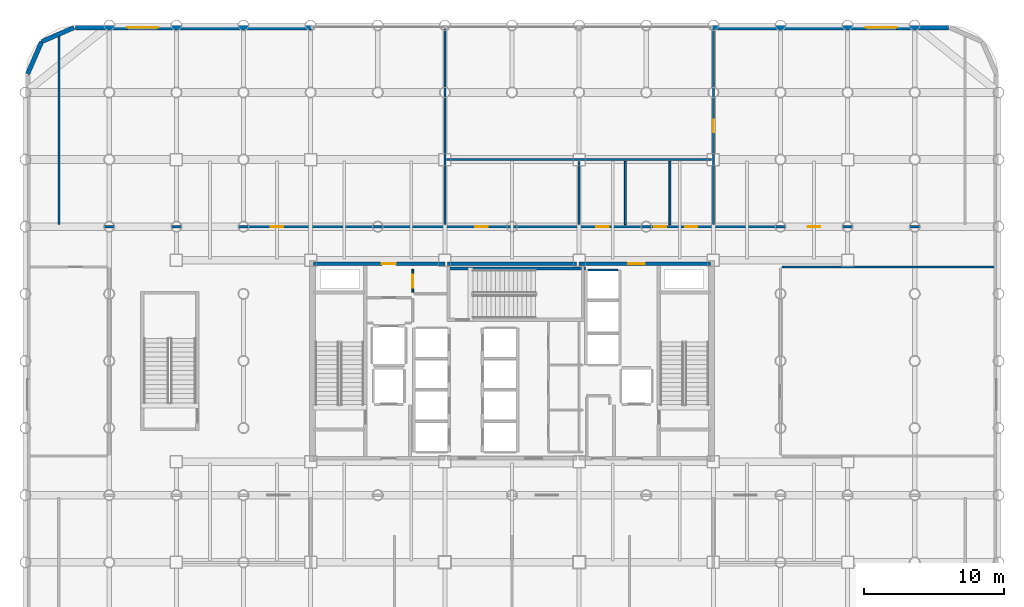
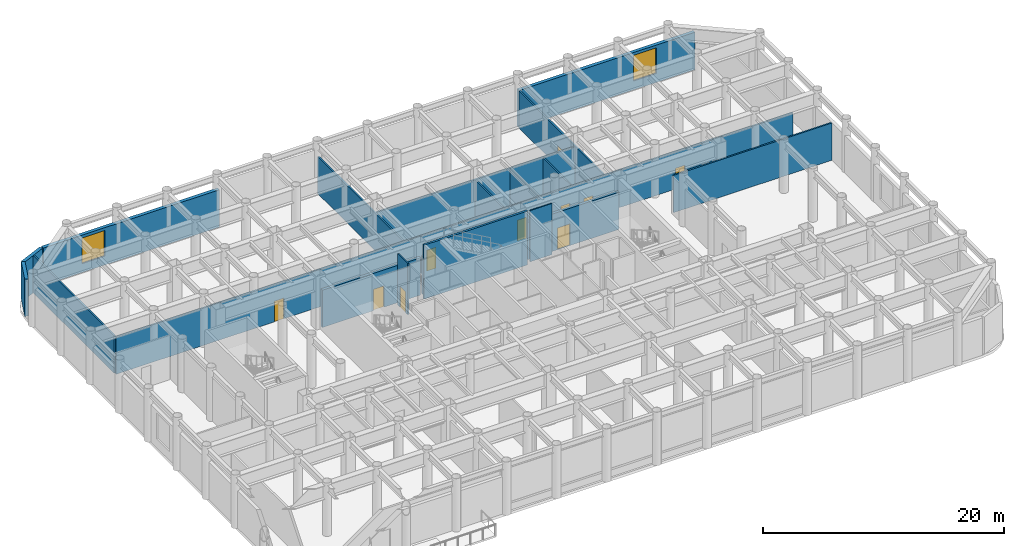
# One storey, part 14 of 17: 19 walls, 10 doors, 2 windows, 12 openings.
"""IFC4 building model written with IfcOpenShell, lengths in metres."""

from ifc_helpers import new_model, si_unit, direction, frame, frame_2d, origin, place, context, subcontext, project, spatial, rectangle, extrude, material, layer, layer_set, type_object, element, fill, save


model = new_model("IFC4")

# Units and contexts
model_context = context("Model", 3, precision=1e-05, world=origin(), true_north=direction((0.0, 1.0)))
body_context = subcontext(model_context, "Body", "Model", "MODEL_VIEW")
ifc_project = project(units=[si_unit("LENGTHUNIT", "METRE"), si_unit("AREAUNIT", "SQUARE_METRE"), si_unit("VOLUMEUNIT", "CUBIC_METRE"), si_unit("PLANEANGLEUNIT", "RADIAN"), si_unit("MASSUNIT", "GRAM", prefix="KILO")], contexts=[model_context])

# Site, building, storey
site_placement = place(None, origin())
site = spatial("IfcSite", under=ifc_project, at=site_placement, CompositionType="ELEMENT")
building_placement = place(site_placement, origin())
building = spatial("IfcBuilding", under=site, at=building_placement, Name="Kallvorn Hotel Tower", CompositionType="ELEMENT")
storey_placement = place(building_placement, frame((0.0, 0.0, 19.199951171875)))
storey = spatial("IfcBuildingStorey", under=building, at=storey_placement, Name="L03", CompositionType="ELEMENT", Elevation=19.199951171875)

# Wall, opening, window
ifc_material_1 = material(Name="Precast basalt-clad insulated concrete wall C40/50", Category="masonry")
ifc_layer_1 = layer(ifc_material_1, 0.320068359375)
ifc_layer_set_1 = layer_set([ifc_layer_1], Name="WL_EXT_BAY_320")
wall_type_1 = type_object("IfcWallType", Name="WL_EXT_BAY_320", PredefinedType="SOLIDWALL", material=ifc_layer_set_1)
wall_1_placement = place(storey_placement, frame((-31.199951171875, 23.840087890625, 0.0), z_axis=(0.0, 0.0, 1.0), x_axis=(1.0, 0.0, 0.0)))
wall_1 = element("IfcWall", 1, at=wall_1_placement, inside=storey, type_object=wall_type_1, Name="L03 Podium Exterior Wall EW-L03-NW", PredefinedType="SOLIDWALL", context=body_context, shape_type="SweptSolid", body=[
    extrude(rectangle(XDim=16.849853515625, YDim=0.320068359375, at=frame_2d((8.4248046875, 0.0))), origin(), (0.0, 0.0, 1.0), 3.780029296875),
])
opening_1_placement = place(wall_1_placement, frame((3.699951171875, 0.0, 0.89990234375)))
opening_1 = element("IfcOpeningElement", 2, at=opening_1_placement, cuts=wall_1, Name="Opening W03", PredefinedType="OPENING", context=body_context, shape_type="SweptSolid", body=[
    extrude(rectangle(XDim=2.199951171875, YDim=2.60009765625, at=frame_2d((1.10009765625, 1.300048828125))), frame((0.0, 0.175048828125, 0.0), z_axis=(0.0, -1.0, 0.0), x_axis=(1.0, 0.0, 0.0)), (0.0, 0.0, 1.0), 0.35009765625),
])
ifc_material_2 = material(Name="Double-glazed low-e solar-control dark glass", Category="glass")
window_type = type_object("IfcWindowType", Name="WN_CASC_2200x2600", PartitioningType="SINGLE_PANEL", PredefinedType="WINDOW", material=ifc_material_2)
window_1_placement = place(opening_1_placement, origin())
window_1 = element("IfcWindow", 3, at=window_1_placement, inside=storey, type_object=window_type, Name="L03 Podium Window EW-L03-NW", OverallHeight=2.60009765625, OverallWidth=2.199951171875, PartitioningType="SINGLE_PANEL", PredefinedType="WINDOW", context=body_context, shape_type="SweptSolid", body=[
    extrude(rectangle(XDim=2.199951171875, YDim=2.60009765625, at=frame_2d((1.10009765625, 1.300048828125))), frame((0.0, 0.030029296875, 0.0), z_axis=(0.0, -1.0, 0.0), x_axis=(1.0, 0.0, 0.0)), (0.0, 0.0, 1.0), 0.06005859375),
])
fill(opening_1, window_1)

wall_2_placement = place(storey_placement, frame((14.35009765625, 23.840087890625, 0.0), z_axis=(0.0, 0.0, 1.0), x_axis=(1.0, 0.0, 0.0)))
wall_2 = element("IfcWall", 4, at=wall_2_placement, inside=storey, type_object=wall_type_1, Name="L03 Podium Exterior Wall EW-L03-NE", PredefinedType="SOLIDWALL", context=body_context, shape_type="SweptSolid", body=[
    extrude(rectangle(XDim=16.849853515625, YDim=0.320068359375, at=frame_2d((8.4248046875, 0.0))), origin(), (0.0, 0.0, 1.0), 3.780029296875),
])
opening_2_placement = place(wall_2_placement, frame((10.949951171875, 0.0, 0.89990234375)))
opening_2 = element("IfcOpeningElement", 5, at=opening_2_placement, cuts=wall_2, Name="Opening W03", PredefinedType="OPENING", context=body_context, shape_type="SweptSolid", body=[
    extrude(rectangle(XDim=2.199951171875, YDim=2.60009765625, at=frame_2d((1.10009765625, 1.300048828125))), frame((0.0, 0.175048828125, 0.0), z_axis=(0.0, -1.0, 0.0), x_axis=(1.0, 0.0, 0.0)), (0.0, 0.0, 1.0), 0.35009765625),
])
window_2_placement = place(opening_2_placement, origin())
window_2 = element("IfcWindow", 6, at=window_2_placement, inside=storey, type_object=window_type, Name="L03 Podium Window EW-L03-NE", OverallHeight=2.60009765625, OverallWidth=2.199951171875, PartitioningType="SINGLE_PANEL", PredefinedType="WINDOW", context=body_context, shape_type="SweptSolid", body=[
    extrude(rectangle(XDim=2.199951171875, YDim=2.60009765625, at=frame_2d((1.10009765625, 1.300048828125))), frame((0.0, 0.030029296875, 0.0), z_axis=(0.0, -1.0, 0.0), x_axis=(1.0, 0.0, 0.0)), (0.0, 0.0, 1.0), 0.06005859375),
])
fill(opening_2, window_2)

# Walls
wall_3_placement = place(storey_placement, frame((-31.320068359375, 23.837890625, 0.0), z_axis=(0.0, 0.0, 1.0), x_axis=(-0.917063898521, -0.3987402739, 0.0)))
element("IfcWall", 7, at=wall_3_placement, inside=storey, type_object=wall_type_1, Name="L03 Rounded Corner Exterior Wall NW1", PredefinedType="SOLIDWALL", context=body_context, shape_type="SweptSolid", body=[
    extrude(rectangle(XDim=2.521484375, YDim=0.320068359375, at=frame_2d((1.2607421875, 0.0))), origin(), (0.0, 0.0, 1.0), 3.780029296875),
])
wall_4_placement = place(storey_placement, frame((-33.63232421875, 22.83251953125, 0.0), z_axis=(0.0, 0.0, 1.0), x_axis=(-0.398786293654, -0.917043887714, 0.0)))
element("IfcWall", 8, at=wall_4_placement, inside=storey, type_object=wall_type_1, Name="L03 Rounded Corner Exterior Wall NW2", PredefinedType="SOLIDWALL", context=body_context, shape_type="SweptSolid", body=[
    extrude(rectangle(XDim=2.521728515625, YDim=0.320068359375, at=frame_2d((1.2607421875, 0.0))), origin(), (0.0, 0.0, 1.0), 3.780029296875),
])
ifc_material_3 = material(Name="Concrete C40/50", Category="concrete")
ifc_layer_2 = layer(ifc_material_3, 0.199951171875)
ifc_layer_set_2 = layer_set([ifc_layer_2], Name="WL_HOIST_200")
wall_type_2 = type_object("IfcWallType", Name="WL_HOIST_200", PredefinedType="SOLIDWALL", material=ifc_layer_set_2)
wall_5_placement = place(storey_placement, frame((-4.64990234375, 6.610107421875, -0.280029296875), z_axis=(0.0, 0.0, 1.0), x_axis=(1.0, 0.0, 0.0)))
element("IfcWall", 9, at=wall_5_placement, inside=storey, type_object=wall_type_2, Name="L03 Stair ST3 Shaft North Wall", PredefinedType="SOLIDWALL", context=body_context, shape_type="SweptSolid", body=[
    extrude(rectangle(XDim=9.89990234375, YDim=0.199951171875, at=frame_2d((4.949951171875, 0.0))), origin(), (0.0, 0.0, 1.0), 5.4599609375),
])
ifc_material_4 = material(Name="Fire-rated double-layer acoustic gypsum drywall EI 60")
ifc_layer_3 = layer(ifc_material_4, 0.1201171875)
ifc_layer_set_3 = layer_set([ifc_layer_3], Name="WL_INT_120")
wall_type_3 = type_object("IfcWallType", Name="WL_INT_120", PredefinedType="PARTITIONING", material=ifc_layer_set_3)
wall_6_placement = place(storey_placement, frame((5.43994140625, 6.5, 0.0), z_axis=(0.0, 0.0, 1.0), x_axis=(1.0, 0.0, 0.0)))
element("IfcWall", 10, at=wall_6_placement, inside=storey, type_object=wall_type_3, Name="L03 OB-03 Hoistway Divider", PredefinedType="PARTITIONING", context=body_context, shape_type="SweptSolid", body=[
    extrude(rectangle(XDim=2.1201171875, YDim=0.1201171875, at=frame_2d((1.06005859375, 0.0))), origin(), (0.0, 0.0, 1.0), 5.179931640625),
])

# Wall, opening, door
wall_7_placement = place(storey_placement, frame((-7.10009765625, 4.89990234375, 0.0), z_axis=(0.0, 0.0, 1.0), x_axis=(0.0, 1.0, 0.0)))
wall_7 = element("IfcWall", 11, at=wall_7_placement, inside=storey, type_object=wall_type_3, Name="L03 Core Room Service Staging Pantry Partition", PredefinedType="PARTITIONING", context=body_context, shape_type="SweptSolid", body=[
    extrude(rectangle(XDim=1.650146484375, YDim=0.1201171875, at=frame_2d((0.8251953125, 0.0))), origin(), (0.0, 0.0, 1.0), 5.179931640625),
])
opening_3_placement = place(wall_7_placement, frame((0.35009765625, 0.0, 0.0)))
opening_3 = element("IfcOpeningElement", 12, at=opening_3_placement, cuts=wall_7, Name="Opening SVD1", PredefinedType="OPENING", context=body_context, shape_type="SweptSolid", body=[
    extrude(rectangle(XDim=0.89990234375, YDim=2.10009765625, at=frame_2d((0.449951171875, 1.050048828125))), frame((0.0, 0.074951171875, 0.0), z_axis=(0.0, -1.0, 0.0), x_axis=(1.0, 0.0, 0.0)), (0.0, 0.0, 1.0), 0.150146484375),
])
ifc_material_5 = material(Name="Galvanised painted steel fire-rated door assembly", Category="steel")
door_type_1 = type_object("IfcDoorType", Name="DR_SERV_900x2100", OperationType="NOTDEFINED", PredefinedType="DOOR", material=ifc_material_5)
door_1_placement = place(opening_3_placement, origin())
door_1 = element("IfcDoor", 13, at=door_1_placement, inside=storey, type_object=door_type_1, Name="L03 Core Room Service Staging Pantry Door", OperationType="SINGLE_SWING_LEFT", OverallHeight=2.10009765625, OverallWidth=0.89990234375, PredefinedType="DOOR", context=body_context, shape_type="SweptSolid", body=[
    extrude(rectangle(XDim=0.89990234375, YDim=2.10009765625, at=frame_2d((0.449951171875, 1.050048828125))), frame((0.0, 0.02490234375, 0.0), z_axis=(0.0, -1.0, 0.0), x_axis=(1.0, 0.0, 0.0)), (0.0, 0.0, 1.0), 0.050048828125),
])
fill(opening_3, door_1)

# Wall
ifc_material_6 = material(Name="Fire-rated double-layer acoustic gypsum drywall EI 60")
ifc_layer_4 = layer(ifc_material_6, 0.14990234375)
ifc_layer_set_4 = layer_set([ifc_layer_4], Name="WL_PART_150")
wall_type_4 = type_object("IfcWallType", Name="WL_PART_150", PredefinedType="PARTITIONING", material=ifc_layer_set_4)
wall_8_placement = place(storey_placement, frame((19.320068359375, 6.716796875, 0.0), z_axis=(0.0, 0.0, 1.0), x_axis=(1.0, 0.0, 0.0)))
element("IfcWall", 14, at=wall_8_placement, inside=storey, type_object=wall_type_4, Name="L03 East Conference Breakout Gallery Partition", PredefinedType="PARTITIONING", context=body_context, shape_type="SweptSolid", body=[
    extrude(rectangle(XDim=15.14990234375, YDim=0.14990234375, at=frame_2d((7.574951171875, 0.0))), origin(), (0.0, 0.0, 1.0), 3.780029296875),
])

# Wall, openings, doors
wall_9_placement = place(storey_placement, frame((-32.39990234375, 9.60009765625, 0.0), z_axis=(0.0, 0.0, 1.0), x_axis=(1.0, 0.0, 0.0)))
wall_9 = element("IfcWall", 15, at=wall_9_placement, inside=storey, type_object=wall_type_4, Name="L03 Diplomatic Summit Conference Room Partition", PredefinedType="PARTITIONING", context=body_context, shape_type="SweptSolid", body=[
    extrude(rectangle(XDim=64.7998046875, YDim=0.14990234375, at=frame_2d((32.39990234375, 0.0))), origin(), (0.0, 0.0, 1.0), 3.780029296875),
])
opening_4_placement = place(wall_9_placement, frame((15.14990234375, 0.0, 0.0)))
opening_4 = element("IfcOpeningElement", 16, at=opening_4_placement, cuts=wall_9, Name="Opening SVD1", PredefinedType="OPENING", context=body_context, shape_type="SweptSolid", body=[
    extrude(rectangle(XDim=0.89990234375, YDim=2.10009765625, at=frame_2d((0.449951171875, 1.050048828125))), frame((0.0, 0.08984375, 0.0), z_axis=(0.0, -1.0, 0.0), x_axis=(1.0, 0.0, 0.0)), (0.0, 0.0, 1.0), 0.179931640625),
])
opening_5_placement = place(wall_9_placement, frame((29.76611328125, 0.0, 0.0)))
opening_5 = element("IfcOpeningElement", 17, at=opening_5_placement, cuts=wall_9, Name="Opening SVD1", PredefinedType="OPENING", context=body_context, shape_type="SweptSolid", body=[
    extrude(rectangle(XDim=0.89990234375, YDim=2.10009765625, at=frame_2d((0.449951171875, 1.050048828125))), frame((0.0, 0.08984375, 0.0), z_axis=(0.0, -1.0, 0.0), x_axis=(1.0, 0.0, 0.0)), (0.0, 0.0, 1.0), 0.179931640625),
])
opening_6_placement = place(wall_9_placement, frame((38.44091796875, 0.0, 0.0)))
opening_6 = element("IfcOpeningElement", 18, at=opening_6_placement, cuts=wall_9, Name="Opening BD-I", PredefinedType="OPENING", context=body_context, shape_type="SweptSolid", body=[
    extrude(rectangle(XDim=0.860107421875, YDim=2.10009765625, at=frame_2d((0.43017578125, 1.050048828125))), frame((0.0, 0.08984375, 0.0), z_axis=(0.0, -1.0, 0.0), x_axis=(1.0, 0.0, 0.0)), (0.0, 0.0, 1.0), 0.179931640625),
])
opening_7_placement = place(wall_9_placement, frame((42.5849609375, 0.0, 0.0)))
opening_7 = element("IfcOpeningElement", 19, at=opening_7_placement, cuts=wall_9, Name="Opening BD-I", PredefinedType="OPENING", context=body_context, shape_type="SweptSolid", body=[
    extrude(rectangle(XDim=0.860107421875, YDim=2.10009765625, at=frame_2d((0.43017578125, 1.050048828125))), frame((0.0, 0.08984375, 0.0), z_axis=(0.0, -1.0, 0.0), x_axis=(1.0, 0.0, 0.0)), (0.0, 0.0, 1.0), 0.179931640625),
])
opening_8_placement = place(wall_9_placement, frame((44.7919921875, 0.0, 0.0)))
opening_8 = element("IfcOpeningElement", 20, at=opening_8_placement, cuts=wall_9, Name="Opening BD-I", PredefinedType="OPENING", context=body_context, shape_type="SweptSolid", body=[
    extrude(rectangle(XDim=0.860107421875, YDim=2.10009765625, at=frame_2d((0.43017578125, 1.050048828125))), frame((0.0, 0.08984375, 0.0), z_axis=(0.0, -1.0, 0.0), x_axis=(1.0, 0.0, 0.0)), (0.0, 0.0, 1.0), 0.179931640625),
])
opening_9_placement = place(wall_9_placement, frame((53.550048828125, 0.0, 0.0)))
opening_9 = element("IfcOpeningElement", 21, at=opening_9_placement, cuts=wall_9, Name="Opening SVD1", PredefinedType="OPENING", context=body_context, shape_type="SweptSolid", body=[
    extrude(rectangle(XDim=0.89990234375, YDim=2.10009765625, at=frame_2d((0.449951171875, 1.050048828125))), frame((0.0, 0.08984375, 0.0), z_axis=(0.0, -1.0, 0.0), x_axis=(1.0, 0.0, 0.0)), (0.0, 0.0, 1.0), 0.179931640625),
])
ifc_material_7 = material(Name="Solid-core walnut veneer fire-rated timber door leaf", Category="wood")
door_type_2 = type_object("IfcDoorType", Name="DR_BATH_860x2100", OperationType="NOTDEFINED", PredefinedType="DOOR", material=ifc_material_7)
door_2_placement = place(opening_6_placement, origin())
door_2 = element("IfcDoor", 22, at=door_2_placement, inside=storey, type_object=door_type_2, Name="L03 Public Male Restroom WC Door", OperationType="SINGLE_SWING_RIGHT", OverallHeight=2.10009765625, OverallWidth=0.860107421875, PredefinedType="DOOR", context=body_context, shape_type="SweptSolid", body=[
    extrude(rectangle(XDim=0.860107421875, YDim=2.10009765625, at=frame_2d((0.43017578125, 1.050048828125))), frame((0.0, 0.02490234375, 0.0), z_axis=(0.0, -1.0, 0.0), x_axis=(1.0, 0.0, 0.0)), (0.0, 0.0, 1.0), 0.050048828125),
])
fill(opening_6, door_2)
door_3_placement = place(opening_7_placement, origin())
door_3 = element("IfcDoor", 23, at=door_3_placement, inside=storey, type_object=door_type_2, Name="L03 Public Female Restroom WC Door", OperationType="SINGLE_SWING_LEFT", OverallHeight=2.10009765625, OverallWidth=0.860107421875, PredefinedType="DOOR", context=body_context, shape_type="SweptSolid", body=[
    extrude(rectangle(XDim=0.860107421875, YDim=2.10009765625, at=frame_2d((0.43017578125, 1.050048828125))), frame((0.0, 0.02490234375, 0.0), z_axis=(0.0, -1.0, 0.0), x_axis=(1.0, 0.0, 0.0)), (0.0, 0.0, 1.0), 0.050048828125),
])
fill(opening_7, door_3)
door_4_placement = place(opening_8_placement, origin())
door_4 = element("IfcDoor", 24, at=door_4_placement, inside=storey, type_object=door_type_2, Name="L03 Accessible Restroom WC Door", OperationType="SINGLE_SWING_RIGHT", OverallHeight=2.10009765625, OverallWidth=0.860107421875, PredefinedType="DOOR", context=body_context, shape_type="SweptSolid", body=[
    extrude(rectangle(XDim=0.860107421875, YDim=2.10009765625, at=frame_2d((0.43017578125, 1.050048828125))), frame((0.0, 0.02490234375, 0.0), z_axis=(0.0, -1.0, 0.0), x_axis=(1.0, 0.0, 0.0)), (0.0, 0.0, 1.0), 0.050048828125),
])
fill(opening_8, door_4)
door_5_placement = place(opening_4_placement, origin())
door_5 = element("IfcDoor", 25, at=door_5_placement, inside=storey, type_object=door_type_1, Name="L03 Diplomatic Summit Conference Room Door", OperationType="SINGLE_SWING_LEFT", OverallHeight=2.10009765625, OverallWidth=0.89990234375, PredefinedType="DOOR", context=body_context, shape_type="SweptSolid", body=[
    extrude(rectangle(XDim=0.89990234375, YDim=2.10009765625, at=frame_2d((0.449951171875, 1.050048828125))), frame((0.0, 0.02490234375, 0.0), z_axis=(0.0, -1.0, 0.0), x_axis=(1.0, 0.0, 0.0)), (0.0, 0.0, 1.0), 0.050048828125),
])
fill(opening_4, door_5)
door_6_placement = place(opening_5_placement, origin())
door_6 = element("IfcDoor", 26, at=door_6_placement, inside=storey, type_object=door_type_1, Name="L03 Executive Boardroom Door", OperationType="SINGLE_SWING_LEFT", OverallHeight=2.10009765625, OverallWidth=0.89990234375, PredefinedType="DOOR", context=body_context, shape_type="SweptSolid", body=[
    extrude(rectangle(XDim=0.89990234375, YDim=2.10009765625, at=frame_2d((0.449951171875, 1.050048828125))), frame((0.0, 0.02490234375, 0.0), z_axis=(0.0, -1.0, 0.0), x_axis=(1.0, 0.0, 0.0)), (0.0, 0.0, 1.0), 0.050048828125),
])
fill(opening_5, door_6)
door_7_placement = place(opening_9_placement, origin())
door_7 = element("IfcDoor", 27, at=door_7_placement, inside=storey, type_object=door_type_1, Name="L03 Simultaneous Interpretation and AV Hub Door", OperationType="SINGLE_SWING_LEFT", OverallHeight=2.10009765625, OverallWidth=0.89990234375, PredefinedType="DOOR", context=body_context, shape_type="SweptSolid", body=[
    extrude(rectangle(XDim=0.89990234375, YDim=2.10009765625, at=frame_2d((0.449951171875, 1.050048828125))), frame((0.0, 0.02490234375, 0.0), z_axis=(0.0, -1.0, 0.0), x_axis=(1.0, 0.0, 0.0)), (0.0, 0.0, 1.0), 0.050048828125),
])
fill(opening_9, door_7)

# Walls
wall_10_placement = place(storey_placement, frame((-4.679931640625, 14.39990234375, 0.0), z_axis=(0.0, 0.0, 1.0), x_axis=(1.0, 0.0, 0.0)))
element("IfcWall", 28, at=wall_10_placement, inside=storey, type_object=wall_type_4, Name="L03 Executive Boardroom Partition", PredefinedType="PARTITIONING", context=body_context, shape_type="SweptSolid", body=[
    extrude(rectangle(XDim=18.9599609375, YDim=0.14990234375, at=frame_2d((9.47998046875, 0.0))), origin(), (0.0, 0.0, 1.0), 3.780029296875),
])
wall_11_placement = place(storey_placement, frame((-32.39990234375, 9.75, 0.0), z_axis=(0.0, 0.0, 1.0), x_axis=(0.0, 1.0, 0.0)))
element("IfcWall", 29, at=wall_11_placement, inside=storey, type_object=wall_type_4, Name="L03 Diplomatic Summit Conference Room Partition", PredefinedType="PARTITIONING", context=body_context, shape_type="SweptSolid", body=[
    extrude(rectangle(XDim=13.4482421875, YDim=0.14990234375, at=frame_2d((6.72412109375, 0.0))), origin(), (0.0, 0.0, 1.0), 3.780029296875),
])
wall_12_placement = place(storey_placement, frame((-4.800048828125, 9.75, 0.0), z_axis=(0.0, 0.0, 1.0), x_axis=(0.0, 1.0, 0.0)))
element("IfcWall", 30, at=wall_12_placement, inside=storey, type_object=wall_type_4, Name="L03 Executive Boardroom Partition", PredefinedType="PARTITIONING", context=body_context, shape_type="SweptSolid", body=[
    extrude(rectangle(XDim=14.044921875, YDim=0.14990234375, at=frame_2d((7.0224609375, 0.0))), origin(), (0.0, 0.0, 1.0), 3.780029296875),
])
wall_13_placement = place(storey_placement, frame((4.800048828125, 9.75, 0.0), z_axis=(0.0, 0.0, 1.0), x_axis=(0.0, 1.0, 0.0)))
element("IfcWall", 31, at=wall_13_placement, inside=storey, type_object=wall_type_4, Name="L03 Executive Boardroom Partition", PredefinedType="PARTITIONING", context=body_context, shape_type="SweptSolid", body=[
    extrude(rectangle(XDim=4.530029296875, YDim=0.14990234375, at=frame_2d((2.26513671875, 0.0))), origin(), (0.0, 0.0, 1.0), 3.780029296875),
])

# Wall, opening, door
wall_14_placement = place(storey_placement, frame((14.39990234375, 9.75, 0.0), z_axis=(0.0, 0.0, 1.0), x_axis=(0.0, 1.0, 0.0)))
wall_14 = element("IfcWall", 32, at=wall_14_placement, inside=storey, type_object=wall_type_4, Name="L03 Simultaneous Interpretation and AV Hub Partition", PredefinedType="PARTITIONING", context=body_context, shape_type="SweptSolid", body=[
    extrude(rectangle(XDim=13.919921875, YDim=0.14990234375, at=frame_2d((6.9599609375, 0.0))), origin(), (0.0, 0.0, 1.0), 3.780029296875),
])
opening_10_placement = place(wall_14_placement, frame((6.60009765625, 0.0, 0.0)))
opening_10 = element("IfcOpeningElement", 33, at=opening_10_placement, cuts=wall_14, Name="Opening SVD1", PredefinedType="OPENING", context=body_context, shape_type="SweptSolid", body=[
    extrude(rectangle(XDim=0.89990234375, YDim=2.10009765625, at=frame_2d((0.449951171875, 1.050048828125))), frame((0.0, 0.08984375, 0.0), z_axis=(0.0, -1.0, 0.0), x_axis=(1.0, 0.0, 0.0)), (0.0, 0.0, 1.0), 0.179931640625),
])
door_8_placement = place(opening_10_placement, origin())
door_8 = element("IfcDoor", 34, at=door_8_placement, inside=storey, type_object=door_type_1, Name="L03 Press and Media Dining Hall Door", OperationType="SINGLE_SWING_LEFT", OverallHeight=2.10009765625, OverallWidth=0.89990234375, PredefinedType="DOOR", context=body_context, shape_type="SweptSolid", body=[
    extrude(rectangle(XDim=0.89990234375, YDim=2.10009765625, at=frame_2d((0.449951171875, 1.050048828125))), frame((0.0, 0.02490234375, 0.0), z_axis=(0.0, -1.0, 0.0), x_axis=(1.0, 0.0, 0.0)), (0.0, 0.0, 1.0), 0.050048828125),
])
fill(opening_10, door_8)

# Walls
ifc_material_8 = material(Name="Moisture-resistant acoustic plumbing chase wall EI 60")
ifc_layer_5 = layer(ifc_material_8, 0.139892578125)
ifc_layer_set_5 = layer_set([ifc_layer_5], Name="WL_PLUMB_140")
wall_type_5 = type_object("IfcWallType", Name="WL_PLUMB_140", PredefinedType="PLUMBINGWALL", material=ifc_layer_set_5)
for number, where, z_axis, x_axis, name in (
    (35, (8.10205078125, 9.75, 0.0), (0.0, 0.0, 1.0), (0.0, 1.0, 0.0), "L03 Public Female Restroom WC Partition"),
    (36, (11.284912109375, 9.75, 0.0), (0.0, 0.0, 1.0), (0.0, 1.0, 0.0), "L03 Accessible Restroom WC Partition"),
):
    element("IfcWall", number, at=place(storey_placement, frame(where, z_axis=z_axis, x_axis=x_axis)), inside=storey, type_object=wall_type_5, Name=name, PredefinedType="PLUMBINGWALL", context=body_context, shape_type="SweptSolid", body=[
        extrude(rectangle(XDim=4.530029296875, YDim=0.139892578125, at=frame_2d((2.26513671875, 0.0))), origin(), (0.0, 0.0, 1.0), 3.780029296875),
    ])

# Wall, opening, door
ifc_material_9 = material(Name="Concrete C40/50", Category="concrete")
ifc_layer_6 = layer(ifc_material_9, 0.25)
ifc_layer_set_6 = layer_set([ifc_layer_6], Name="WL_SHAFT_250")
wall_type_6 = type_object("IfcWallType", Name="WL_SHAFT_250", PredefinedType="SOLIDWALL", material=ifc_layer_set_6)
wall_15_placement = place(storey_placement, frame((-14.199951171875, 6.949951171875, 0.0), z_axis=(0.0, 0.0, 1.0), x_axis=(1.0, 0.0, 0.0)))
wall_15 = element("IfcWall", 37, at=wall_15_placement, inside=storey, type_object=wall_type_6, Name="L03 Core North-West Wall", PredefinedType="SOLIDWALL", context=body_context, shape_type="SweptSolid", body=[
    extrude(rectangle(XDim=9.39990234375, YDim=0.25, at=frame_2d((4.699951171875, 0.0))), origin(), (0.0, 0.0, 1.0), 3.780029296875),
])
opening_11_placement = place(wall_15_placement, frame((4.89990234375, 0.0, 0.0)))
opening_11 = element("IfcOpeningElement", 38, at=opening_11_placement, cuts=wall_15, Name="Opening FD1", PredefinedType="OPENING", context=body_context, shape_type="SweptSolid", body=[
    extrude(rectangle(XDim=1.0, YDim=2.14990234375, at=frame_2d((0.5, 1.074951171875))), frame((0.0, 0.139892578125, 0.0), z_axis=(0.0, -1.0, 0.0), x_axis=(1.0, 0.0, 0.0)), (0.0, 0.0, 1.0), 0.280029296875),
])
ifc_material_10 = material(Name="Galvanised painted steel fire-rated door assembly", Category="steel")
door_type_3 = type_object("IfcDoorType", Name="DR_FFL_1000x2150", OperationType="NOTDEFINED", PredefinedType="DOOR", material=ifc_material_10)
door_9_placement = place(opening_11_placement, origin())
door_9 = element("IfcDoor", 39, at=door_9_placement, inside=storey, type_object=door_type_3, Name="L03 Service Lift Lobby Door", OperationType="SINGLE_SWING_RIGHT", OverallHeight=2.14990234375, OverallWidth=1.0, PredefinedType="DOOR", context=body_context, shape_type="SweptSolid", body=[
    extrude(rectangle(XDim=1.0, YDim=2.14990234375, at=frame_2d((0.5, 1.074951171875))), frame((0.0, 0.02490234375, 0.0), z_axis=(0.0, -1.0, 0.0), x_axis=(1.0, 0.0, 0.0)), (0.0, 0.0, 1.0), 0.050048828125),
])
fill(opening_11, door_9)

# Wall
wall_16_placement = place(storey_placement, frame((-4.60009765625, 6.949951171875, 0.0), z_axis=(0.0, 0.0, 1.0), x_axis=(1.0, 0.0, 0.0)))
element("IfcWall", 40, at=wall_16_placement, inside=storey, type_object=wall_type_6, Name="L03 Core North-Central Wall", PredefinedType="SOLIDWALL", context=body_context, shape_type="SweptSolid", body=[
    extrude(rectangle(XDim=9.2001953125, YDim=0.25, at=frame_2d((4.60009765625, 0.0))), origin(), (0.0, 0.0, 1.0), 3.780029296875),
])

# Wall, opening, door
wall_17_placement = place(storey_placement, frame((4.800048828125, 6.949951171875, 0.0), z_axis=(0.0, 0.0, 1.0), x_axis=(1.0, 0.0, 0.0)))
wall_17 = element("IfcWall", 41, at=wall_17_placement, inside=storey, type_object=wall_type_6, Name="L03 Core North-East Wall", PredefinedType="SOLIDWALL", context=body_context, shape_type="SweptSolid", body=[
    extrude(rectangle(XDim=9.39990234375, YDim=0.25, at=frame_2d((4.699951171875, 0.0))), origin(), (0.0, 0.0, 1.0), 3.780029296875),
])
opening_12_placement = place(wall_17_placement, frame((3.5, 0.0, 0.0)))
opening_12 = element("IfcOpeningElement", 42, at=opening_12_placement, cuts=wall_17, Name="Opening FD2", PredefinedType="OPENING", context=body_context, shape_type="SweptSolid", body=[
    extrude(rectangle(XDim=1.199951171875, YDim=2.199951171875, at=frame_2d((0.60009765625, 1.10009765625))), frame((0.0, 0.139892578125, 0.0), z_axis=(0.0, -1.0, 0.0), x_axis=(1.0, 0.0, 0.0)), (0.0, 0.0, 1.0), 0.280029296875),
])
ifc_material_11 = material(Name="Galvanised painted steel fire-rated door assembly", Category="steel")
door_type_4 = type_object("IfcDoorType", Name="DR_LOBBY_1200x2200", OperationType="DOUBLE_DOOR_SINGLE_SWING", PredefinedType="DOOR", material=ifc_material_11)
door_10_placement = place(opening_12_placement, origin())
door_10 = element("IfcDoor", 43, at=door_10_placement, inside=storey, type_object=door_type_4, Name="L03 Observatory Shuttle Lobby Door", OperationType="DOUBLE_DOOR_SINGLE_SWING", OverallHeight=2.199951171875, OverallWidth=1.199951171875, PredefinedType="DOOR", context=body_context, shape_type="SweptSolid", body=[
    extrude(rectangle(XDim=1.199951171875, YDim=2.199951171875, at=frame_2d((0.60009765625, 1.10009765625))), frame((0.0, 0.02490234375, 0.0), z_axis=(0.0, -1.0, 0.0), x_axis=(1.0, 0.0, 0.0)), (0.0, 0.0, 1.0), 0.050048828125),
])
fill(opening_12, door_10)

save(model, "model.ifc")
